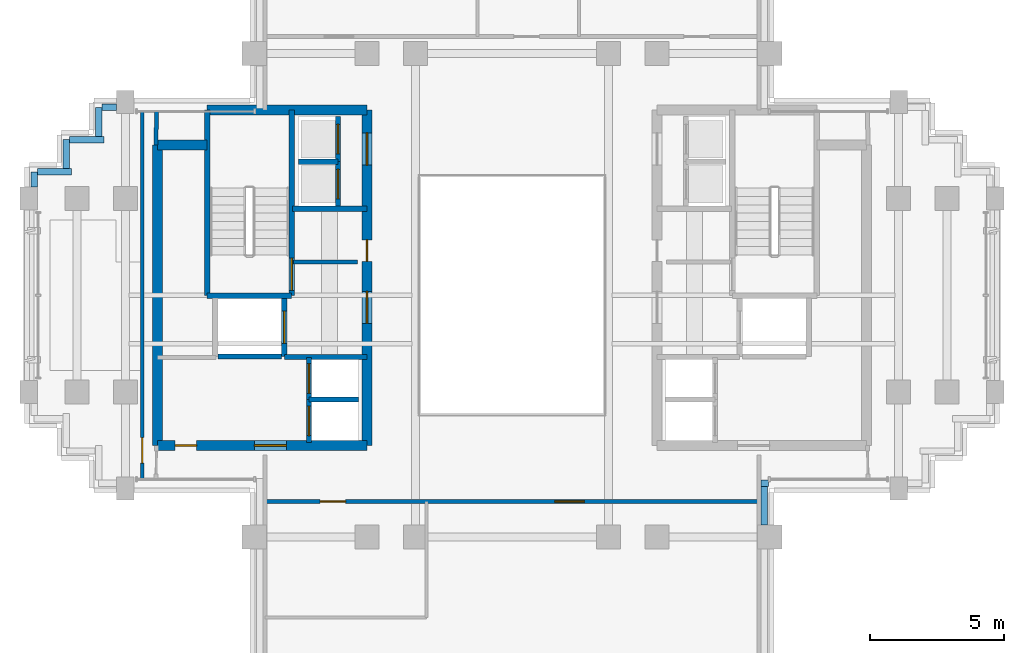
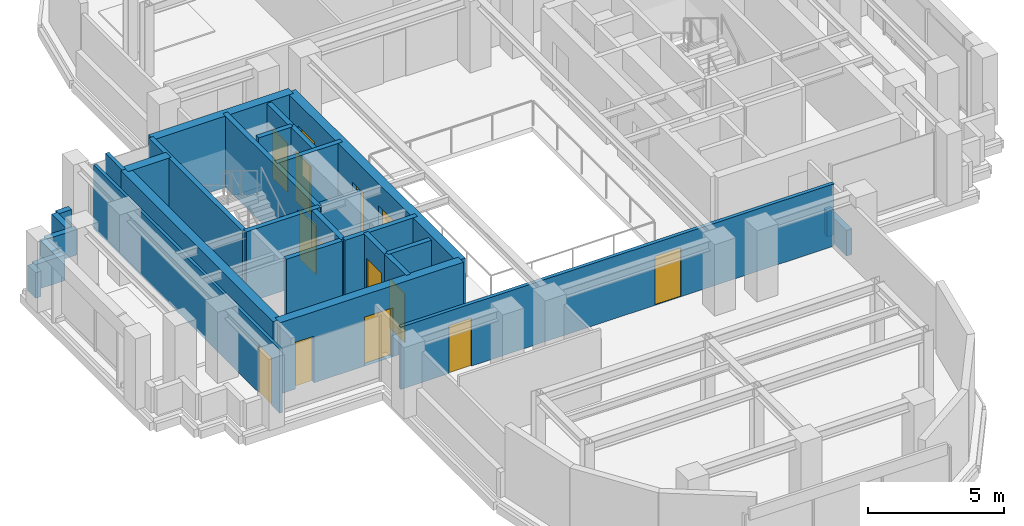
# One storey, part 6 of 12: 30 walls, 14 doors, 14 openings.
"""IFC4 building model written with IfcOpenShell, lengths in metres."""

from ifc_helpers import new_model, si_unit, direction, frame, frame_2d, origin, place, context, subcontext, project, spatial, rectangle, extrude, source, transform, mapped, material, layer, layer_set, type_object, element, fill, save


model = new_model("IFC4")

# Units and contexts
model_context = context("Model", 3, precision=1e-05, world=origin(), true_north=direction((0.0, 1.0)))
body_context = subcontext(model_context, "Body", "Model", "MODEL_VIEW")
ifc_project = project(units=[si_unit("LENGTHUNIT", "METRE"), si_unit("AREAUNIT", "SQUARE_METRE"), si_unit("VOLUMEUNIT", "CUBIC_METRE"), si_unit("PLANEANGLEUNIT", "RADIAN"), si_unit("MASSUNIT", "GRAM", prefix="KILO")], contexts=[model_context])

# Site, building, storey
site_placement = place(None, origin())
site = spatial("IfcSite", under=ifc_project, at=site_placement, CompositionType="ELEMENT")
building_placement = place(site_placement, origin())
building = spatial("IfcBuilding", under=site, at=building_placement, Name="Keilestroom Media Tower", CompositionType="ELEMENT")
storey_placement = place(building_placement, frame((0.0, 0.0, 177.39990234375)))
storey = spatial("IfcBuildingStorey", under=building, at=storey_placement, Name="L48", CompositionType="ELEMENT", Elevation=177.39990234375)

# Wall, opening, door
ifc_material_1 = material(Name="Gypsum Plasterboard & Steel Stud", Category="steel")
ifc_layer_1 = layer(ifc_material_1, 0.1201171875)
ifc_layer_set_1 = layer_set([ifc_layer_1], Name="Gypsum Plasterboard & Steel Stud")
wall_type_1 = type_object("IfcWallType", Name="Interior-Partition-Wall-120", PredefinedType="PARTITIONING", material=ifc_layer_set_1)
wall_1_placement = place(storey_placement, frame((-13.77001953125, -6.85009765625, 0.0), z_axis=(0.0, 0.0, 1.0), x_axis=(0.0, 1.0, 0.0)))
wall_1 = element("IfcWall", 1, at=wall_1_placement, inside=storey, type_object=wall_type_1, Name="L48 Interior Wall WP-L48-WA-CE", PredefinedType="PARTITIONING", context=body_context, shape_type="SweptSolid", body=[
    extrude(rectangle(XDim=13.7001953125, YDim=0.1201171875, at=frame_2d((6.85009765625, 0.0))), origin(), (0.0, 0.0, 1.0), 2.8701171875),
])
opening_1_placement = place(wall_1_placement, frame((0.60009765625, 0.0, 0.0)))
opening_1 = element("IfcOpeningElement", 2, at=opening_1_placement, cuts=wall_1, Name="Opening DI-03", PredefinedType="OPENING", context=body_context, shape_type="SweptSolid", body=[
    extrude(rectangle(XDim=0.949951171875, YDim=2.14990234375, at=frame_2d((0.47509765625, 1.074951171875))), frame((0.0, 0.070068359375, 0.0), z_axis=(0.0, -1.0, 0.0), x_axis=(1.0, 0.0, 0.0)), (0.0, 0.0, 1.0), 0.14013671875),
])
ifc_material_2 = material(Name="Lacquered European Oak Leaf", Category="wood")
door_type_1 = type_object("IfcDoorType", Name="Interior-Room-And-Suite-Door-DI-03", OperationType="NOTDEFINED", PredefinedType="DOOR", material=ifc_material_2)
shared_shape_1 = source(origin(), body_context, "Body", "SweptSolid", [
    extrude(rectangle(XDim=0.949951171875, YDim=2.14990234375, at=frame_2d((0.47509765625, 1.074951171875))), frame((0.0, 0.02490234375, 0.0), z_axis=(0.0, -1.0, 0.0), x_axis=(1.0, 0.0, 0.0)), (0.0, 0.0, 1.0), 0.050048828125),
])
door_1_placement = place(opening_1_placement, origin())
door_1 = element("IfcDoor", 3, at=door_1_placement, inside=storey, type_object=door_type_1, Name="L48 Interior Door DI-L48-DWA-END", OperationType="SINGLE_SWING_LEFT", OverallHeight=2.14990234375, OverallWidth=0.949951171875, PredefinedType="DOOR", context=body_context, shape_type="MappedRepresentation", body=[
    mapped(shared_shape_1, transform((0.0, 0.0, 0.0), x_axis=(1.0, 0.0, 0.0), y_axis=(0.0, 1.0, 0.0), z_axis=(0.0, 0.0, 1.0), scale=1.0)),
])
fill(opening_1, door_1)

# Wall
ifc_layer_2 = layer(ifc_material_1, 0.14990234375)
ifc_layer_set_2 = layer_set([ifc_layer_2], Name="Gypsum Plasterboard & Steel Stud")
wall_type_2 = type_object("IfcWallType", Name="Interior-Partition-Wall-150", PredefinedType="PARTITIONING", material=ifc_layer_set_2)
wall_2_placement = place(storey_placement, frame((-8.139892578125, 1.239990234375, 0.0), z_axis=(0.0, 0.0, 1.0), x_axis=(1.0, 0.0, 0.0)))
element("IfcWall", 4, at=wall_2_placement, inside=storey, type_object=wall_type_2, Name="L48 Interior Wall WP-L48-FFW-TOP", PredefinedType="PARTITIONING", context=body_context, shape_type="SweptSolid", body=[
    extrude(rectangle(XDim=2.389892578125, YDim=0.14990234375, at=frame_2d((1.19482421875, 0.0))), origin(), (0.0, 0.0, 1.0), 2.300048828125),
])

# Wall, openings, doors
wall_3_placement = place(storey_placement, frame((-9.199951171875, -7.679931640625, 0.0), z_axis=(0.0, 0.0, 1.0), x_axis=(1.0, 0.0, 0.0)))
wall_3 = element("IfcWall", 5, at=wall_3_placement, inside=storey, type_object=wall_type_2, Name="L48 Interior Wall WP-L48-SL-BASE", PredefinedType="PARTITIONING", context=body_context, shape_type="SweptSolid", body=[
    extrude(rectangle(XDim=18.39990234375, YDim=0.14990234375, at=frame_2d((9.199951171875, 0.0))), origin(), (0.0, 0.0, 1.0), 2.800048828125),
])
opening_2_placement = place(wall_3_placement, frame((2.050048828125, 0.0, 0.0)))
opening_2 = element("IfcOpeningElement", 6, at=opening_2_placement, cuts=wall_3, Name="Opening DI-03", PredefinedType="OPENING", context=body_context, shape_type="SweptSolid", body=[
    extrude(rectangle(XDim=0.949951171875, YDim=2.14990234375, at=frame_2d((0.47509765625, 1.074951171875))), frame((0.0, 0.0849609375, 0.0), z_axis=(0.0, -1.0, 0.0), x_axis=(1.0, 0.0, 0.0)), (0.0, 0.0, 1.0), 0.169921875),
])
opening_3_placement = place(wall_3_placement, frame((10.800048828125, 0.0, 0.0)))
opening_3 = element("IfcOpeningElement", 7, at=opening_3_placement, cuts=wall_3, Name="Opening DI-04", PredefinedType="OPENING", context=body_context, shape_type="SweptSolid", body=[
    extrude(rectangle(XDim=1.10009765625, YDim=2.199951171875, at=frame_2d((0.550048828125, 1.10009765625))), frame((0.0, 0.0849609375, 0.0), z_axis=(0.0, -1.0, 0.0), x_axis=(1.0, 0.0, 0.0)), (0.0, 0.0, 1.0), 0.169921875),
])
door_2_placement = place(opening_2_placement, origin())
door_2 = element("IfcDoor", 8, at=door_2_placement, inside=storey, type_object=door_type_1, Name="L48 Interior Door DI-L48-DSL-FR", OperationType="SINGLE_SWING_RIGHT", OverallHeight=2.14990234375, OverallWidth=0.949951171875, PredefinedType="DOOR", context=body_context, shape_type="MappedRepresentation", body=[
    mapped(shared_shape_1, transform((0.0, 0.0, 0.0), x_axis=(1.0, 0.0, 0.0), y_axis=(0.0, 1.0, 0.0), z_axis=(0.0, 0.0, 1.0), scale=1.0)),
])
fill(opening_2, door_2)
ifc_material_3 = material(Name="Acoustic Glazed Aluminium Leaf", Category="aluminium")
door_type_2 = type_object("IfcDoorType", Name="Interior-Room-And-Suite-Door-DI-04", OperationType="NOTDEFINED", PredefinedType="DOOR", material=ifc_material_3)
shared_shape_2 = source(origin(), body_context, "Body", "SweptSolid", [
    extrude(rectangle(XDim=1.10009765625, YDim=2.199951171875, at=frame_2d((0.550048828125, 1.10009765625))), frame((0.0, 0.02490234375, 0.0), z_axis=(0.0, -1.0, 0.0), x_axis=(1.0, 0.0, 0.0)), (0.0, 0.0, 1.0), 0.050048828125),
])
door_3_placement = place(opening_3_placement, origin())
door_3 = element("IfcDoor", 9, at=door_3_placement, inside=storey, type_object=door_type_2, Name="L48 Interior Door DI-L48-DSL-RR", OperationType="SINGLE_SWING_LEFT", OverallHeight=2.199951171875, OverallWidth=1.10009765625, PredefinedType="DOOR", context=body_context, shape_type="MappedRepresentation", body=[
    mapped(shared_shape_2, transform((0.0, 0.0, 0.0), x_axis=(1.0, 0.0, 0.0), y_axis=(0.0, 1.0, 0.0), z_axis=(0.0, 0.0, 1.0), scale=1.0)),
])
fill(opening_3, door_3)

# Walls
wall_4_placement = place(storey_placement, frame((-13.260009765625, 5.60009765625, 0.0), z_axis=(0.0, 0.0, 1.0), x_axis=(0.016013571389, 0.999871774545, 0.0)))
element("IfcWall", 10, at=wall_4_placement, inside=storey, type_object=wall_type_2, Name="L48 Interior Wall WP-L48-WA-ENTN", PredefinedType="PARTITIONING", context=body_context, shape_type="SweptSolid", body=[
    extrude(rectangle(XDim=1.250244140625, YDim=0.14990234375, at=frame_2d((0.625, 0.0))), origin(), (0.0, 0.0, 1.0), 3.2001953125),
])
ifc_material_4 = material(Name="Concrete C55/67", Category="concrete")
ifc_layer_3 = layer(ifc_material_4, 0.3798828125)
ifc_layer_set_3 = layer_set([ifc_layer_3], Name="Concrete C55/67")
wall_type_3 = type_object("IfcWallType", Name="Reinforced-Concrete-Core-Shear-Wall-380", PredefinedType="SHEAR", material=ifc_layer_set_3)
wall_5_placement = place(storey_placement, frame((-13.199951171875, -5.60009765625, 0.0), z_axis=(0.0, 0.0, 1.0), x_axis=(0.0, 1.0, 0.0)))
element("IfcWall", 11, at=wall_5_placement, inside=storey, type_object=wall_type_3, Name="L48 Core Shear Wall WL-L48-CORE-W-OUT", PredefinedType="SHEAR", context=body_context, shape_type="SweptSolid", body=[
    extrude(rectangle(XDim=11.2001953125, YDim=0.3798828125, at=frame_2d((5.60009765625, 0.0))), origin(), (0.0, 0.0, 1.0), 3.2001953125),
])

# Wall, openings, doors
wall_6_placement = place(storey_placement, frame((-5.39990234375, -5.60009765625, 0.0), z_axis=(0.0, 0.0, 1.0), x_axis=(0.0, 1.0, 0.0)))
wall_6 = element("IfcWall", 12, at=wall_6_placement, inside=storey, type_object=wall_type_3, Name="L48 Core Shear Wall WL-L48-CORE-W-IN", PredefinedType="SHEAR", context=body_context, shape_type="SweptSolid", body=[
    extrude(rectangle(XDim=12.5, YDim=0.3798828125, at=frame_2d((6.25, 0.0))), origin(), (0.0, 0.0, 1.0), 3.2001953125),
])
opening_4_placement = place(wall_6_placement, frame((4.550048828125, 0.0, 0.0)))
opening_4 = element("IfcOpeningElement", 13, at=opening_4_placement, cuts=wall_6, Name="Opening DI-02", PredefinedType="OPENING", context=body_context, shape_type="SweptSolid", body=[
    extrude(rectangle(XDim=1.199951171875, YDim=2.199951171875, at=frame_2d((0.60009765625, 1.10009765625))), frame((0.0, 0.199951171875, 0.0), z_axis=(0.0, -1.0, 0.0), x_axis=(1.0, 0.0, 0.0)), (0.0, 0.0, 1.0), 0.39990234375),
])
opening_5_placement = place(wall_6_placement, frame((10.449951171875, 0.0, 0.0)))
opening_5 = element("IfcOpeningElement", 14, at=opening_5_placement, cuts=wall_6, Name="Opening DI-02", PredefinedType="OPENING", context=body_context, shape_type="SweptSolid", body=[
    extrude(rectangle(XDim=1.199951171875, YDim=2.199951171875, at=frame_2d((0.60009765625, 1.10009765625))), frame((0.0, 0.199951171875, 0.0), z_axis=(0.0, -1.0, 0.0), x_axis=(1.0, 0.0, 0.0)), (0.0, 0.0, 1.0), 0.39990234375),
])
opening_6_placement = place(wall_6_placement, frame((6.860107421875, 0.0, 0.0)))
opening_6 = element("IfcOpeningElement", 15, at=opening_6_placement, cuts=wall_6, Name="Opening DI-06", PredefinedType="OPENING", context=body_context, shape_type="SweptSolid", body=[
    extrude(rectangle(XDim=0.800048828125, YDim=2.10009765625, at=frame_2d((0.39990234375, 1.050048828125))), frame((0.0, 0.199951171875, 0.0), z_axis=(0.0, -1.0, 0.0), x_axis=(1.0, 0.0, 0.0)), (0.0, 0.0, 1.0), 0.39990234375),
])
ifc_material_5 = material(Name="Powder-Coated Steel Fire Leaf", Category="steel")
door_type_3 = type_object("IfcDoorType", Name="Interior-Compartment-Fire-Door-DI-02", OperationType="NOTDEFINED", PredefinedType="DOOR", material=ifc_material_5)
shared_shape_3 = source(origin(), body_context, "Body", "SweptSolid", [
    extrude(rectangle(XDim=1.199951171875, YDim=2.199951171875, at=frame_2d((0.60009765625, 1.10009765625))), frame((0.0, 0.02490234375, 0.0), z_axis=(0.0, -1.0, 0.0), x_axis=(1.0, 0.0, 0.0)), (0.0, 0.0, 1.0), 0.050048828125),
])
door_4_placement = place(opening_4_placement, origin())
door_4 = element("IfcDoor", 16, at=door_4_placement, inside=storey, type_object=door_type_3, Name="L48 W Firefighting Lobby Door", OperationType="SINGLE_SWING_RIGHT", OverallHeight=2.199951171875, OverallWidth=1.199951171875, PredefinedType="DOOR", context=body_context, shape_type="MappedRepresentation", body=[
    mapped(shared_shape_3, transform((0.0, 0.0, 0.0), x_axis=(1.0, 0.0, 0.0), y_axis=(0.0, 1.0, 0.0), z_axis=(0.0, 0.0, 1.0), scale=1.0)),
])
fill(opening_4, door_4)
door_5_placement = place(opening_5_placement, origin())
door_5 = element("IfcDoor", 17, at=door_5_placement, inside=storey, type_object=door_type_3, Name="L48 W High-Rise Lift Lobby Door", OperationType="SINGLE_SWING_LEFT", OverallHeight=2.199951171875, OverallWidth=1.199951171875, PredefinedType="DOOR", context=body_context, shape_type="MappedRepresentation", body=[
    mapped(shared_shape_3, transform((0.0, 0.0, 0.0), x_axis=(1.0, 0.0, 0.0), y_axis=(0.0, 1.0, 0.0), z_axis=(0.0, 0.0, 1.0), scale=1.0)),
])
fill(opening_5, door_5)
ifc_material_6 = material(Name="Powder-Coated Steel Service Leaf", Category="steel")
door_type_4 = type_object("IfcDoorType", Name="Interior-Riser-Access-Door-DI-06", OperationType="NOTDEFINED", PredefinedType="DOOR", material=ifc_material_6)
shared_shape_4 = source(origin(), body_context, "Body", "SweptSolid", [
    extrude(rectangle(XDim=0.800048828125, YDim=2.10009765625, at=frame_2d((0.39990234375, 1.050048828125))), frame((0.0, 0.02490234375, 0.0), z_axis=(0.0, -1.0, 0.0), x_axis=(1.0, 0.0, 0.0)), (0.0, 0.0, 1.0), 0.050048828125),
])
door_6_placement = place(opening_6_placement, origin())
door_6 = element("IfcDoor", 18, at=door_6_placement, inside=storey, type_object=door_type_4, Name="L48 West Core Switchroom Door", OperationType="SINGLE_SWING_LEFT", OverallHeight=2.10009765625, OverallWidth=0.800048828125, PredefinedType="DOOR", context=body_context, shape_type="MappedRepresentation", body=[
    mapped(shared_shape_4, transform((0.0, 0.0, 0.0), x_axis=(1.0, 0.0, 0.0), y_axis=(0.0, 1.0, 0.0), z_axis=(0.0, 0.0, 1.0), scale=1.0)),
])
fill(opening_6, door_6)

# Walls
wall_7_placement = place(storey_placement, frame((-11.35595703125, 6.89990234375, 0.0), z_axis=(0.0, 0.0, 1.0), x_axis=(1.0, 0.0, 0.0)))
element("IfcWall", 19, at=wall_7_placement, inside=storey, type_object=wall_type_3, Name="L48 Core Shear Wall WL-L48-CORE-W-N", PredefinedType="SHEAR", context=body_context, shape_type="SweptSolid", body=[
    extrude(rectangle(XDim=5.9560546875, YDim=0.3798828125, at=frame_2d((2.97802734375, 0.0))), origin(), (0.0, 0.0, 1.0), 3.2001953125),
])
wall_8_placement = place(storey_placement, frame((-13.199951171875, 5.60009765625, 0.0), z_axis=(0.0, 0.0, 1.0), x_axis=(1.0, 0.0, 0.0)))
element("IfcWall", 20, at=wall_8_placement, inside=storey, type_object=wall_type_3, Name="L48 Core Shear Wall WL-L48-CNW-N", PredefinedType="SHEAR", context=body_context, shape_type="SweptSolid", body=[
    extrude(rectangle(XDim=1.843994140625, YDim=0.3798828125, at=frame_2d((0.921875, 0.0))), origin(), (0.0, 0.0, 1.0), 3.2001953125),
])

# Wall, openings, doors
wall_9_placement = place(storey_placement, frame((-13.199951171875, -5.60009765625, 0.0), z_axis=(0.0, 0.0, 1.0), x_axis=(1.0, 0.0, 0.0)))
wall_9 = element("IfcWall", 21, at=wall_9_placement, inside=storey, type_object=wall_type_3, Name="L48 Core Shear Wall WL-L48-CORE-W-S", PredefinedType="SHEAR", context=body_context, shape_type="SweptSolid", body=[
    extrude(rectangle(XDim=7.800048828125, YDim=0.3798828125, at=frame_2d((3.89990234375, 0.0))), origin(), (0.0, 0.0, 1.0), 3.2001953125),
])
opening_7_placement = place(wall_9_placement, frame((3.60009765625, 0.0, 0.0)))
opening_7 = element("IfcOpeningElement", 22, at=opening_7_placement, cuts=wall_9, Name="Opening DI-02", PredefinedType="OPENING", context=body_context, shape_type="SweptSolid", body=[
    extrude(rectangle(XDim=1.199951171875, YDim=2.199951171875, at=frame_2d((0.60009765625, 1.10009765625))), frame((0.0, 0.199951171875, 0.0), z_axis=(0.0, -1.0, 0.0), x_axis=(1.0, 0.0, 0.0)), (0.0, 0.0, 1.0), 0.39990234375),
])
opening_8_placement = place(wall_9_placement, frame((0.64990234375, 0.0, 0.0)))
opening_8 = element("IfcOpeningElement", 23, at=opening_8_placement, cuts=wall_9, Name="Opening DI-06", PredefinedType="OPENING", context=body_context, shape_type="SweptSolid", body=[
    extrude(rectangle(XDim=0.800048828125, YDim=2.10009765625, at=frame_2d((0.39990234375, 1.050048828125))), frame((0.0, 0.199951171875, 0.0), z_axis=(0.0, -1.0, 0.0), x_axis=(1.0, 0.0, 0.0)), (0.0, 0.0, 1.0), 0.39990234375),
])
door_7_placement = place(opening_7_placement, origin())
door_7 = element("IfcDoor", 24, at=door_7_placement, inside=storey, type_object=door_type_3, Name="L48 W Passenger Lift Lobby Door", OperationType="SINGLE_SWING_LEFT", OverallHeight=2.199951171875, OverallWidth=1.199951171875, PredefinedType="DOOR", context=body_context, shape_type="MappedRepresentation", body=[
    mapped(shared_shape_3, transform((0.0, 0.0, 0.0), x_axis=(1.0, 0.0, 0.0), y_axis=(0.0, 1.0, 0.0), z_axis=(0.0, 0.0, 1.0), scale=1.0)),
])
fill(opening_7, door_7)
door_8_placement = place(opening_8_placement, origin())
door_8 = element("IfcDoor", 25, at=door_8_placement, inside=storey, type_object=door_type_4, Name="L48 Reclaimed West Core Room Door", OperationType="SINGLE_SWING_LEFT", OverallHeight=2.10009765625, OverallWidth=0.800048828125, PredefinedType="DOOR", context=body_context, shape_type="MappedRepresentation", body=[
    mapped(shared_shape_4, transform((0.0, 0.0, 0.0), x_axis=(1.0, 0.0, 0.0), y_axis=(0.0, 1.0, 0.0), z_axis=(0.0, 0.0, 1.0), scale=1.0)),
])
fill(opening_8, door_8)

# Walls
ifc_material_7 = material(Name="Concrete C50/60", Category="concrete")
ifc_layer_4 = layer(ifc_material_7, 0.199951171875)
ifc_layer_set_4 = layer_set([ifc_layer_4], Name="Concrete C50/60")
wall_type_4 = type_object("IfcWallType", Name="Reinforced-Concrete-Shaft-Wall-200", PredefinedType="SOLIDWALL", material=ifc_layer_set_4)
wall_10_placement = place(storey_placement, frame((-8.179931640625, 3.219970703125, 0.0), z_axis=(0.0, 0.0, 1.0), x_axis=(1.0, 0.0, 0.0)))
element("IfcWall", 26, at=wall_10_placement, inside=storey, type_object=wall_type_4, Name="L48 Core Shear Wall WL-L48-CORE-W-FFN", PredefinedType="SOLIDWALL", context=body_context, shape_type="SweptSolid", body=[
    extrude(rectangle(XDim=2.780029296875, YDim=0.199951171875, at=frame_2d((1.39013671875, 0.0))), origin(), (0.0, 0.0, 1.0), 3.2001953125),
])
wall_11_placement = place(storey_placement, frame((-8.47998046875, -2.300048828125, 0.0), z_axis=(0.0, 0.0, 1.0), x_axis=(1.0, 0.0, 0.0)))
element("IfcWall", 27, at=wall_11_placement, inside=storey, type_object=wall_type_4, Name="L48 Core Shear Wall WL-L48-CORE-W-FFS", PredefinedType="SOLIDWALL", context=body_context, shape_type="SweptSolid", body=[
    extrude(rectangle(XDim=3.080078125, YDim=0.199951171875, at=frame_2d((1.5400390625, 0.0))), origin(), (0.0, 0.0, 1.0), 3.2001953125),
])

# Wall, opening, door
wall_12_placement = place(storey_placement, frame((-8.2041015625, -0.01611328125, 0.0), z_axis=(0.0, 0.0, 1.0), x_axis=(0.0, 1.0, 0.0)))
wall_12 = element("IfcWall", 28, at=wall_12_placement, inside=storey, type_object=wall_type_4, Name="L48 Core Shear Wall WL-L48-STW-W-NEAR", PredefinedType="SOLIDWALL", context=body_context, shape_type="SweptSolid", body=[
    extrude(rectangle(XDim=6.916015625, YDim=0.199951171875, at=frame_2d((3.4580078125, 0.0))), origin(), (0.0, 0.0, 1.0), 3.2001953125),
])
opening_9_placement = place(wall_12_placement, frame((0.199951171875, 0.0, 0.0)))
opening_9 = element("IfcOpeningElement", 29, at=opening_9_placement, cuts=wall_12, Name="Opening DI-01S", PredefinedType="OPENING", context=body_context, shape_type="SweptSolid", body=[
    extrude(rectangle(XDim=1.199951171875, YDim=2.199951171875, at=frame_2d((0.60009765625, 1.10009765625))), frame((0.0, 0.10986328125, 0.0), z_axis=(0.0, -1.0, 0.0), x_axis=(1.0, 0.0, 0.0)), (0.0, 0.0, 1.0), 0.219970703125),
])
door_type_5 = type_object("IfcDoorType", Name="Interior-Stair-And-Core-Fire-Door-DI-01", OperationType="NOTDEFINED", PredefinedType="DOOR", material=ifc_material_5)
door_9_placement = place(opening_9_placement, origin())
door_9 = element("IfcDoor", 30, at=door_9_placement, inside=storey, type_object=door_type_5, Name="L48 Escape Stair ST-1 Fire Door", OperationType="SINGLE_SWING_LEFT", OverallHeight=2.199951171875, OverallWidth=1.199951171875, PredefinedType="DOOR", context=body_context, shape_type="MappedRepresentation", body=[
    mapped(shared_shape_3, transform((0.0, 0.0, 0.0), x_axis=(1.0, 0.0, 0.0), y_axis=(0.0, 1.0, 0.0), z_axis=(0.0, 0.0, 1.0), scale=1.0)),
])
fill(opening_9, door_9)

# Walls
wall_13_placement = place(storey_placement, frame((-11.35595703125, -0.01611328125, 0.0), z_axis=(0.0, 0.0, 1.0), x_axis=(0.0, 1.0, 0.0)))
element("IfcWall", 31, at=wall_13_placement, inside=storey, type_object=wall_type_4, Name="L48 Core Shear Wall WL-L48-STW-W-FAR", PredefinedType="SOLIDWALL", context=body_context, shape_type="SweptSolid", body=[
    extrude(rectangle(XDim=6.916015625, YDim=0.199951171875, at=frame_2d((3.4580078125, 0.0))), origin(), (0.0, 0.0, 1.0), 3.2001953125),
])
wall_14_placement = place(storey_placement, frame((-11.35595703125, -0.01611328125, 0.0), z_axis=(0.0, 0.0, 1.0), x_axis=(1.0, 0.0, 0.0)))
element("IfcWall", 32, at=wall_14_placement, inside=storey, type_object=wall_type_4, Name="L48 Core Shear Wall WL-L48-STW-W-S", PredefinedType="SOLIDWALL", context=body_context, shape_type="SweptSolid", body=[
    extrude(rectangle(XDim=3.15185546875, YDim=0.199951171875, at=frame_2d((1.575927734375, 0.0))), origin(), (0.0, 0.0, 1.0), 3.2001953125),
])

# Wall, opening, door
wall_15_placement = place(storey_placement, frame((-8.47998046875, -2.280029296875, 0.0), z_axis=(0.0, 0.0, 1.0), x_axis=(0.0, 1.0, 0.0)))
wall_15 = element("IfcWall", 33, at=wall_15_placement, inside=storey, type_object=wall_type_4, Name="L48 Core Shear Wall WL-L48-LSH-FFL-1-E", PredefinedType="SOLIDWALL", context=body_context, shape_type="SweptSolid", body=[
    extrude(rectangle(XDim=2.179931640625, YDim=0.199951171875, at=frame_2d((1.08984375, 0.0))), origin(), (0.0, 0.0, 1.0), 3.2001953125),
])
opening_10_placement = place(wall_15_placement, frame((0.489990234375, 0.0, 0.0)))
opening_10 = element("IfcOpeningElement", 34, at=opening_10_placement, cuts=wall_15, Name="Opening LD-02", PredefinedType="OPENING", context=body_context, shape_type="SweptSolid", body=[
    extrude(rectangle(XDim=1.199951171875, YDim=2.199951171875, at=frame_2d((0.60009765625, 1.10009765625))), frame((0.0, 0.10986328125, 0.0), z_axis=(0.0, -1.0, 0.0), x_axis=(1.0, 0.0, 0.0)), (0.0, 0.0, 1.0), 0.219970703125),
])
ifc_material_8 = material(Name="Brushed Stainless Steel Sliding Leaf", Category="steel")
door_type_6 = type_object("IfcDoorType", Name="Lift-Landing-Sliding-Door-LD-02", OperationType="SLIDING_TO_RIGHT", PredefinedType="DOOR", material=ifc_material_8)
door_10_placement = place(opening_10_placement, origin())
door_10 = element("IfcDoor", 35, at=door_10_placement, inside=storey, type_object=door_type_6, Name="L48 Lift FFL-1 Landing Sliding Door", OperationType="SLIDING_TO_RIGHT", OverallHeight=2.199951171875, OverallWidth=1.199951171875, PredefinedType="DOOR", context=body_context, shape_type="MappedRepresentation", body=[
    mapped(shared_shape_3, transform((0.0, 0.0, 0.0), x_axis=(1.0, 0.0, 0.0), y_axis=(0.0, 1.0, 0.0), z_axis=(0.0, 0.0, 1.0), scale=1.0)),
])
fill(opening_10, door_10)

# Wall
wall_16_placement = place(storey_placement, frame((-10.946044921875, -2.280029296875, 0.0), z_axis=(0.0, 0.0, 1.0), x_axis=(1.0, 0.0, 0.0)))
element("IfcWall", 36, at=wall_16_placement, inside=storey, type_object=wall_type_4, Name="L48 Core Shear Wall WL-L48-LSH-FFL-1-S", PredefinedType="SOLIDWALL", context=body_context, shape_type="SweptSolid", body=[
    extrude(rectangle(XDim=2.362060546875, YDim=0.199951171875, at=frame_2d((1.18115234375, 0.0))), origin(), (0.0, 0.0, 1.0), 3.2001953125),
])

# Wall, opening, door
wall_17_placement = place(storey_placement, frame((-7.56005859375, -5.47998046875, 0.0), z_axis=(0.0, 0.0, 1.0), x_axis=(0.0, 1.0, 0.0)))
wall_17 = element("IfcWall", 37, at=wall_17_placement, inside=storey, type_object=wall_type_4, Name="L48 Core Shear Wall WL-L48-LSH-PL-M1-W", PredefinedType="SOLIDWALL", context=body_context, shape_type="SweptSolid", body=[
    extrude(rectangle(XDim=1.60009765625, YDim=0.199951171875, at=frame_2d((0.800048828125, 0.0))), origin(), (0.0, 0.0, 1.0), 3.2001953125),
])
opening_11_placement = place(wall_17_placement, frame((0.25, 0.0, 0.0)))
opening_11 = element("IfcOpeningElement", 38, at=opening_11_placement, cuts=wall_17, Name="Opening LD-01", PredefinedType="OPENING", context=body_context, shape_type="SweptSolid", body=[
    extrude(rectangle(XDim=1.10009765625, YDim=2.199951171875, at=frame_2d((0.550048828125, 1.10009765625))), frame((0.0, 0.10986328125, 0.0), z_axis=(0.0, -1.0, 0.0), x_axis=(1.0, 0.0, 0.0)), (0.0, 0.0, 1.0), 0.219970703125),
])
door_type_7 = type_object("IfcDoorType", Name="Lift-Landing-Sliding-Door-LD-01", OperationType="SLIDING_TO_LEFT", PredefinedType="DOOR", material=ifc_material_8)
door_11_placement = place(opening_11_placement, origin())
door_11 = element("IfcDoor", 39, at=door_11_placement, inside=storey, type_object=door_type_7, Name="L48 Lift PL-M1 Landing Sliding Door", OperationType="SLIDING_TO_LEFT", OverallHeight=2.199951171875, OverallWidth=1.10009765625, PredefinedType="DOOR", context=body_context, shape_type="MappedRepresentation", body=[
    mapped(shared_shape_2, transform((0.0, 0.0, 0.0), x_axis=(1.0, 0.0, 0.0), y_axis=(0.0, 1.0, 0.0), z_axis=(0.0, 0.0, 1.0), scale=1.0)),
])
fill(opening_11, door_11)

# Wall
wall_18_placement = place(storey_placement, frame((-7.56005859375, -3.8798828125, 0.0), z_axis=(0.0, 0.0, 1.0), x_axis=(1.0, 0.0, 0.0)))
element("IfcWall", 40, at=wall_18_placement, inside=storey, type_object=wall_type_4, Name="L48 Core Shear Wall WL-L48-LSH-PL-M1-N", PredefinedType="SOLIDWALL", context=body_context, shape_type="SweptSolid", body=[
    extrude(rectangle(XDim=1.840087890625, YDim=0.199951171875, at=frame_2d((0.919921875, 0.0))), origin(), (0.0, 0.0, 1.0), 3.2001953125),
])

# Wall, opening, door
wall_19_placement = place(storey_placement, frame((-7.56005859375, -3.8798828125, 0.0), z_axis=(0.0, 0.0, 1.0), x_axis=(0.0, 1.0, 0.0)))
wall_19 = element("IfcWall", 41, at=wall_19_placement, inside=storey, type_object=wall_type_4, Name="L48 Core Shear Wall WL-L48-LSH-PL-M2-W", PredefinedType="SOLIDWALL", context=body_context, shape_type="SweptSolid", body=[
    extrude(rectangle(XDim=1.559814453125, YDim=0.199951171875, at=frame_2d((0.77978515625, 0.0))), origin(), (0.0, 0.0, 1.0), 3.2001953125),
])
opening_12_placement = place(wall_19_placement, frame((0.22998046875, 0.0, 0.0)))
opening_12 = element("IfcOpeningElement", 42, at=opening_12_placement, cuts=wall_19, Name="Opening LD-01", PredefinedType="OPENING", context=body_context, shape_type="SweptSolid", body=[
    extrude(rectangle(XDim=1.10009765625, YDim=2.199951171875, at=frame_2d((0.550048828125, 1.10009765625))), frame((0.0, 0.10986328125, 0.0), z_axis=(0.0, -1.0, 0.0), x_axis=(1.0, 0.0, 0.0)), (0.0, 0.0, 1.0), 0.219970703125),
])
door_12_placement = place(opening_12_placement, origin())
door_12 = element("IfcDoor", 43, at=door_12_placement, inside=storey, type_object=door_type_7, Name="L48 Lift PL-M2 Landing Sliding Door", OperationType="SLIDING_TO_LEFT", OverallHeight=2.199951171875, OverallWidth=1.10009765625, PredefinedType="DOOR", context=body_context, shape_type="MappedRepresentation", body=[
    mapped(shared_shape_2, transform((0.0, 0.0, 0.0), x_axis=(1.0, 0.0, 0.0), y_axis=(0.0, 1.0, 0.0), z_axis=(0.0, 0.0, 1.0), scale=1.0)),
])
fill(opening_12, door_12)

wall_20_placement = place(storey_placement, frame((-6.47998046875, 3.300048828125, 0.0), z_axis=(0.0, 0.0, 1.0), x_axis=(0.0, 1.0, 0.0)))
wall_20 = element("IfcWall", 44, at=wall_20_placement, inside=storey, type_object=wall_type_4, Name="L48 Core Shear Wall WL-L48-LSH-PL-H1-E", PredefinedType="SOLIDWALL", context=body_context, shape_type="SweptSolid", body=[
    extrude(rectangle(XDim=1.679931640625, YDim=0.199951171875, at=frame_2d((0.83984375, 0.0))), origin(), (0.0, 0.0, 1.0), 3.2001953125),
])
opening_13_placement = place(wall_20_placement, frame((0.2900390625, 0.0, 0.0)))
opening_13 = element("IfcOpeningElement", 45, at=opening_13_placement, cuts=wall_20, Name="Opening LD-01", PredefinedType="OPENING", context=body_context, shape_type="SweptSolid", body=[
    extrude(rectangle(XDim=1.10009765625, YDim=2.199951171875, at=frame_2d((0.550048828125, 1.10009765625))), frame((0.0, 0.10986328125, 0.0), z_axis=(0.0, -1.0, 0.0), x_axis=(1.0, 0.0, 0.0)), (0.0, 0.0, 1.0), 0.219970703125),
])
door_13_placement = place(opening_13_placement, origin())
door_13 = element("IfcDoor", 46, at=door_13_placement, inside=storey, type_object=door_type_7, Name="L48 Lift PL-H1 Landing Sliding Door", OperationType="SLIDING_TO_LEFT", OverallHeight=2.199951171875, OverallWidth=1.10009765625, PredefinedType="DOOR", context=body_context, shape_type="MappedRepresentation", body=[
    mapped(shared_shape_2, transform((0.0, 0.0, 0.0), x_axis=(1.0, 0.0, 0.0), y_axis=(0.0, 1.0, 0.0), z_axis=(0.0, 0.0, 1.0), scale=1.0)),
])
fill(opening_13, door_13)

# Wall
wall_21_placement = place(storey_placement, frame((-7.949951171875, 4.97998046875, 0.0), z_axis=(0.0, 0.0, 1.0), x_axis=(1.0, 0.0, 0.0)))
element("IfcWall", 47, at=wall_21_placement, inside=storey, type_object=wall_type_4, Name="L48 Core Shear Wall WL-L48-LSH-PL-H1-N", PredefinedType="SOLIDWALL", context=body_context, shape_type="SweptSolid", body=[
    extrude(rectangle(XDim=1.469970703125, YDim=0.199951171875, at=frame_2d((0.73486328125, 0.0))), origin(), (0.0, 0.0, 1.0), 3.2001953125),
])

# Wall, opening, door
wall_22_placement = place(storey_placement, frame((-6.47998046875, 4.97998046875, 0.0), z_axis=(0.0, 0.0, 1.0), x_axis=(0.0, 1.0, 0.0)))
wall_22 = element("IfcWall", 48, at=wall_22_placement, inside=storey, type_object=wall_type_4, Name="L48 Core Shear Wall WL-L48-LSH-PL-H2-E", PredefinedType="SOLIDWALL", context=body_context, shape_type="SweptSolid", body=[
    extrude(rectangle(XDim=1.669921875, YDim=0.199951171875, at=frame_2d((0.8349609375, 0.0))), origin(), (0.0, 0.0, 1.0), 3.2001953125),
])
opening_14_placement = place(wall_22_placement, frame((0.284912109375, 0.0, 0.0)))
opening_14 = element("IfcOpeningElement", 49, at=opening_14_placement, cuts=wall_22, Name="Opening LD-01", PredefinedType="OPENING", context=body_context, shape_type="SweptSolid", body=[
    extrude(rectangle(XDim=1.10009765625, YDim=2.199951171875, at=frame_2d((0.550048828125, 1.10009765625))), frame((0.0, 0.10986328125, 0.0), z_axis=(0.0, -1.0, 0.0), x_axis=(1.0, 0.0, 0.0)), (0.0, 0.0, 1.0), 0.219970703125),
])
door_14_placement = place(opening_14_placement, origin())
door_14 = element("IfcDoor", 50, at=door_14_placement, inside=storey, type_object=door_type_7, Name="L48 Lift PL-H2 Landing Sliding Door", OperationType="SLIDING_TO_LEFT", OverallHeight=2.199951171875, OverallWidth=1.10009765625, PredefinedType="DOOR", context=body_context, shape_type="MappedRepresentation", body=[
    mapped(shared_shape_2, transform((0.0, 0.0, 0.0), x_axis=(1.0, 0.0, 0.0), y_axis=(0.0, 1.0, 0.0), z_axis=(0.0, 0.0, 1.0), scale=1.0)),
])
fill(opening_14, door_14)

# Walls
ifc_material_9 = material(Name="Precast concrete C40/50", Category="concrete")
ifc_layer_5 = layer(ifc_material_9, 0.239990234375)
ifc_layer_set_5 = layer_set([ifc_layer_5], Name="Precast concrete C40/50")
wall_type_5 = type_object("IfcWallType", Name="Roof-And-Terrace-Parapet-Wall-240", PredefinedType="PARAPET", material=ifc_layer_set_5)
wall_23_placement = place(storey_placement, frame((9.547119140625, -7.0, 0.0), z_axis=(0.0, 0.0, 1.0), x_axis=(-1.0, 0.0, 0.0)))
element("IfcWall", 51, at=wall_23_placement, inside=storey, type_object=wall_type_5, Name="L48 Perimeter Edge Parapet Wall 06", PredefinedType="PARAPET", context=body_context, shape_type="SweptSolid", body=[
    extrude(rectangle(XDim=0.26904296875, YDim=0.239990234375, at=frame_2d((0.134521484375, 0.0))), origin(), (0.0, 0.0, 1.0), 1.150146484375),
])
wall_24_placement = place(storey_placement, frame((9.39990234375, -7.123046875, 0.0), z_axis=(0.0, 0.0, 1.0), x_axis=(0.0, -1.0, 0.0)))
element("IfcWall", 52, at=wall_24_placement, inside=storey, type_object=wall_type_5, Name="L48 Perimeter Edge Parapet Wall 07", PredefinedType="PARAPET", context=body_context, shape_type="SweptSolid", body=[
    extrude(rectangle(XDim=1.424072265625, YDim=0.239990234375, at=frame_2d((0.7119140625, 0.0))), origin(), (0.0, 0.0, 1.0), 1.150146484375),
])
wall_25_placement = place(storey_placement, frame((-17.800048828125, 4.028076171875, 0.0), z_axis=(0.0, 0.0, 1.0), x_axis=(0.0, 1.0, 0.0)))
element("IfcWall", 53, at=wall_25_placement, inside=storey, type_object=wall_type_5, Name="L48 Perimeter Edge Parapet Wall 18", PredefinedType="PARAPET", context=body_context, shape_type="SweptSolid", body=[
    extrude(rectangle(XDim=0.572021484375, YDim=0.239990234375, at=frame_2d((0.2861328125, 0.0))), origin(), (0.0, 0.0, 1.0), 1.150146484375),
])
wall_26_placement = place(storey_placement, frame((-17.677001953125, 4.60009765625, 0.0), z_axis=(0.0, 0.0, 1.0), x_axis=(1.0, 0.0, 0.0)))
element("IfcWall", 54, at=wall_26_placement, inside=storey, type_object=wall_type_5, Name="L48 Perimeter Edge Parapet Wall 19", PredefinedType="PARAPET", context=body_context, shape_type="SweptSolid", body=[
    extrude(rectangle(XDim=1.277099609375, YDim=0.239990234375, at=frame_2d((0.638671875, 0.0))), origin(), (0.0, 0.0, 1.0), 1.150146484375),
])
wall_27_placement = place(storey_placement, frame((-16.60009765625, 4.722900390625, 0.0), z_axis=(0.0, 0.0, 1.0), x_axis=(0.0, 1.0, 0.0)))
element("IfcWall", 55, at=wall_27_placement, inside=storey, type_object=wall_type_5, Name="L48 Perimeter Edge Parapet Wall 20", PredefinedType="PARAPET", context=body_context, shape_type="SweptSolid", body=[
    extrude(rectangle(XDim=1.0771484375, YDim=0.239990234375, at=frame_2d((0.53857421875, 0.0))), origin(), (0.0, 0.0, 1.0), 1.150146484375),
])
wall_28_placement = place(storey_placement, frame((-16.47705078125, 5.800048828125, 0.0), z_axis=(0.0, 0.0, 1.0), x_axis=(1.0, 0.0, 0.0)))
element("IfcWall", 56, at=wall_28_placement, inside=storey, type_object=wall_type_5, Name="L48 Perimeter Edge Parapet Wall 21", PredefinedType="PARAPET", context=body_context, shape_type="SweptSolid", body=[
    extrude(rectangle(XDim=1.277099609375, YDim=0.239990234375, at=frame_2d((0.638671875, 0.0))), origin(), (0.0, 0.0, 1.0), 1.150146484375),
])
wall_29_placement = place(storey_placement, frame((-15.39990234375, 5.923095703125, 0.0), z_axis=(0.0, 0.0, 1.0), x_axis=(0.0, 1.0, 0.0)))
element("IfcWall", 57, at=wall_29_placement, inside=storey, type_object=wall_type_5, Name="L48 Perimeter Edge Parapet Wall 22", PredefinedType="PARAPET", context=body_context, shape_type="SweptSolid", body=[
    extrude(rectangle(XDim=1.076904296875, YDim=0.239990234375, at=frame_2d((0.53857421875, 0.0))), origin(), (0.0, 0.0, 1.0), 1.150146484375),
])
wall_30_placement = place(storey_placement, frame((-15.277099609375, 7.0, 0.0), z_axis=(0.0, 0.0, 1.0), x_axis=(1.0, 0.0, 0.0)))
element("IfcWall", 58, at=wall_30_placement, inside=storey, type_object=wall_type_5, Name="L48 Perimeter Edge Parapet Wall 23", PredefinedType="PARAPET", context=body_context, shape_type="SweptSolid", body=[
    extrude(rectangle(XDim=0.549072265625, YDim=0.239990234375, at=frame_2d((0.2744140625, 0.0))), origin(), (0.0, 0.0, 1.0), 1.150146484375),
])

save(model, "model.ifc")
